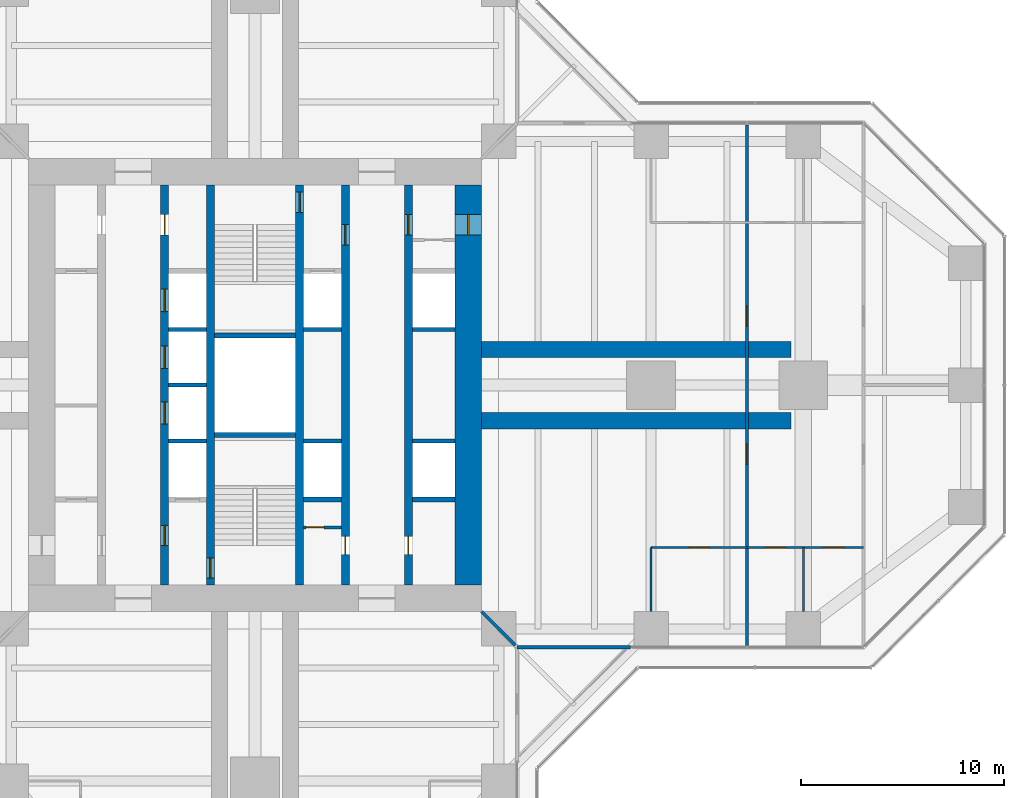
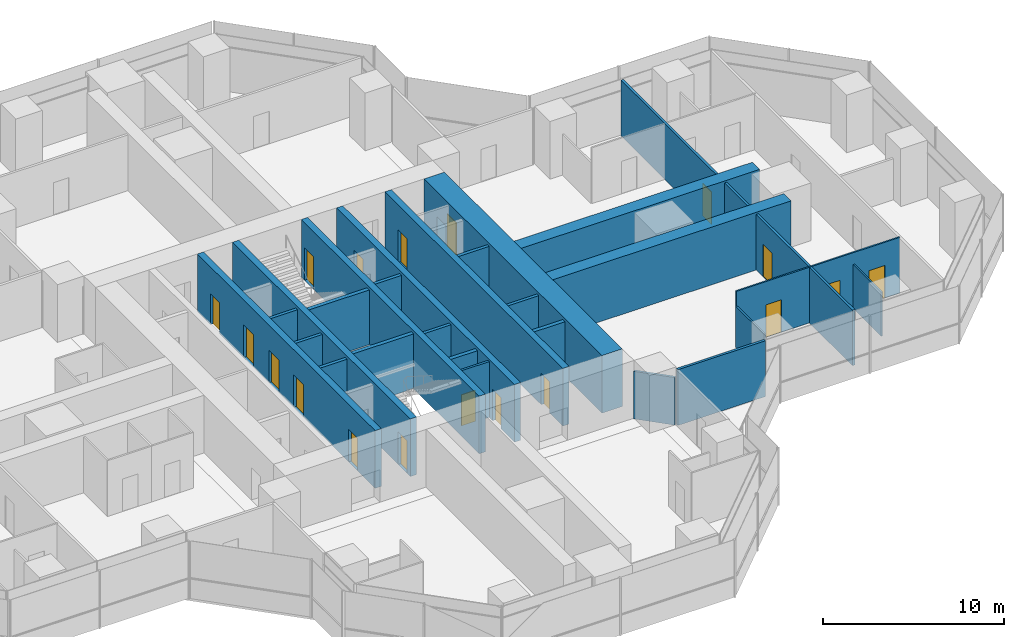
# One storey, part 16 of 20: 27 walls, 18 doors, 18 openings.
"""IFC4 building model written with IfcOpenShell, lengths in metres."""

from ifc_helpers import new_model, si_unit, direction, frame, frame_2d, origin, place, context, subcontext, project, spatial, rectangle, extrude, material, layer, layer_set, type_object, element, fill, save


model = new_model("IFC4")

# Units and contexts
model_context = context("Model", 3, precision=1e-05, world=origin(), true_north=direction((0.0, 1.0)))
body_context = subcontext(model_context, "Body", "Model", "MODEL_VIEW")
ifc_project = project(units=[si_unit("LENGTHUNIT", "METRE"), si_unit("AREAUNIT", "SQUARE_METRE"), si_unit("VOLUMEUNIT", "CUBIC_METRE"), si_unit("PLANEANGLEUNIT", "RADIAN"), si_unit("MASSUNIT", "GRAM", prefix="KILO")], contexts=[model_context])

# Site, building, storey
site_placement = place(None, origin())
site = spatial("IfcSite", under=ifc_project, at=site_placement, CompositionType="ELEMENT")
building_placement = place(site_placement, origin())
building = spatial("IfcBuilding", under=site, at=building_placement, Name="Mizan Broadcast Tower", CompositionType="ELEMENT")
storey_placement = place(building_placement, frame((0.0, 0.0, 139.800048828125)))
storey = spatial("IfcBuildingStorey", under=building, at=storey_placement, Name="L31", CompositionType="ELEMENT", Elevation=139.800048828125)

# Wall, openings, doors
ifc_material_1 = material(Name="Concrete C70/85", Category="concrete")
ifc_layer_1 = layer(ifc_material_1, 0.39990234375)
ifc_layer_set_1 = layer_set([ifc_layer_1], Name="Concrete C70/85")
wall_type_1 = type_object("IfcWallType", Name="CORE INTERNAL WALL 400", PredefinedType="SHEAR", material=ifc_layer_set_1)
wall_1_placement = place(storey_placement, frame((7.550048828125, 9.85009765625, 0.0), z_axis=(0.0, 0.0, 1.0), x_axis=(0.0, -1.0, 0.0)))
wall_1 = element("IfcWall", 1, at=wall_1_placement, inside=storey, type_object=wall_type_1, Name="Core wall CORE/XW1E", PredefinedType="SHEAR", context=body_context, shape_type="SweptSolid", body=[
    extrude(rectangle(XDim=19.7001953125, YDim=0.39990234375, at=frame_2d((9.85009765625, 0.0))), origin(), (0.0, 0.0, 1.0), 3.89990234375),
])
opening_1_placement = place(wall_1_placement, frame((1.449951171875, 0.0, 0.0)))
opening_1 = element("IfcOpeningElement", 2, at=opening_1_placement, cuts=wall_1, Name="Opening D10F", PredefinedType="OPENING", context=body_context, shape_type="SweptSolid", body=[
    extrude(rectangle(XDim=1.0, YDim=2.199951171875, at=frame_2d((0.5, 1.10009765625))), frame((0.0, 0.2099609375, 0.0), z_axis=(0.0, -1.0, 0.0), x_axis=(1.0, 0.0, 0.0)), (0.0, 0.0, 1.0), 0.419921875),
])
opening_2_placement = place(wall_1_placement, frame((17.300048828125, 0.0, 0.0)))
opening_2 = element("IfcOpeningElement", 3, at=opening_2_placement, cuts=wall_1, Name="Opening D09", PredefinedType="OPENING", context=body_context, shape_type="SweptSolid", body=[
    extrude(rectangle(XDim=0.89990234375, YDim=2.10009765625, at=frame_2d((0.449951171875, 1.050048828125))), frame((0.0, 0.2099609375, 0.0), z_axis=(0.0, -1.0, 0.0), x_axis=(1.0, 0.0, 0.0)), (0.0, 0.0, 1.0), 0.419921875),
])
ifc_material_2 = material(Name="Steel door leaf in steel frame", Category="steel")
door_type_1 = type_object("IfcDoorType", Name="FIRE DOOR 1000 FD90", OperationType="SINGLE_SWING_LEFT", PredefinedType="DOOR", material=ifc_material_2)
door_1_placement = place(opening_1_placement, origin())
door_1 = element("IfcDoor", 4, at=door_1_placement, inside=storey, type_object=door_type_1, Name="East core passage door", OperationType="SINGLE_SWING_LEFT", OverallHeight=2.199951171875, OverallWidth=1.0, PredefinedType="DOOR", context=body_context, shape_type="SweptSolid", body=[
    extrude(rectangle(XDim=1.0, YDim=2.199951171875, at=frame_2d((0.5, 1.10009765625))), frame((0.0, 0.02490234375, 0.0), z_axis=(0.0, -1.0, 0.0), x_axis=(1.0, 0.0, 0.0)), (0.0, 0.0, 1.0), 0.050048828125),
])
fill(opening_1, door_1)
ifc_material_3 = material(Name="Timber door leaf in aluminium frame", Category="wood")
door_type_2 = type_object("IfcDoorType", Name="TOILET DOOR 900", OperationType="SINGLE_SWING_LEFT", PredefinedType="DOOR", material=ifc_material_3)
door_2_placement = place(opening_2_placement, origin())
door_2 = element("IfcDoor", 5, at=door_2_placement, inside=storey, type_object=door_type_2, Name="Female WC door", OperationType="SINGLE_SWING_RIGHT", OverallHeight=2.10009765625, OverallWidth=0.89990234375, PredefinedType="DOOR", context=body_context, shape_type="SweptSolid", body=[
    extrude(rectangle(XDim=0.89990234375, YDim=2.10009765625, at=frame_2d((0.449951171875, 1.050048828125))), frame((0.0, 0.02490234375, 0.0), z_axis=(0.0, -1.0, 0.0), x_axis=(1.0, 0.0, 0.0)), (0.0, 0.0, 1.0), 0.050048828125),
])
fill(opening_2, door_2)

wall_2_placement = place(storey_placement, frame((-4.449951171875, -9.85009765625, 0.0), z_axis=(0.0, 0.0, 1.0), x_axis=(0.0, 1.0, 0.0)))
wall_2 = element("IfcWall", 6, at=wall_2_placement, inside=storey, type_object=wall_type_1, Name="Core wall CORE/XWH", PredefinedType="SHEAR", context=body_context, shape_type="SweptSolid", body=[
    extrude(rectangle(XDim=19.7001953125, YDim=0.39990234375, at=frame_2d((9.85009765625, 0.0))), origin(), (0.0, 0.0, 1.0), 3.89990234375),
])
opening_3_placement = place(wall_2_placement, frame((1.949951171875, 0.0, 0.0)))
opening_3 = element("IfcOpeningElement", 7, at=opening_3_placement, cuts=wall_2, Name="Opening D10F", PredefinedType="OPENING", context=body_context, shape_type="SweptSolid", body=[
    extrude(rectangle(XDim=1.0, YDim=2.199951171875, at=frame_2d((0.5, 1.10009765625))), frame((0.0, 0.2099609375, 0.0), z_axis=(0.0, -1.0, 0.0), x_axis=(1.0, 0.0, 0.0)), (0.0, 0.0, 1.0), 0.419921875),
])
opening_4_placement = place(wall_2_placement, frame((17.25, 0.0, 0.0)))
opening_4 = element("IfcOpeningElement", 8, at=opening_4_placement, cuts=wall_2, Name="Opening D10A", PredefinedType="OPENING", context=body_context, shape_type="SweptSolid", body=[
    extrude(rectangle(XDim=1.0, YDim=2.10009765625, at=frame_2d((0.5, 1.050048828125))), frame((0.0, 0.2099609375, 0.0), z_axis=(0.0, -1.0, 0.0), x_axis=(1.0, 0.0, 0.0)), (0.0, 0.0, 1.0), 0.419921875),
])
opening_5_placement = place(wall_2_placement, frame((7.925048828125, 0.0, 0.0)))
opening_5 = element("IfcOpeningElement", 9, at=opening_5_placement, cuts=wall_2, Name="Opening LD", PredefinedType="OPENING", context=body_context, shape_type="SweptSolid", body=[
    extrude(rectangle(XDim=1.10009765625, YDim=2.199951171875, at=frame_2d((0.550048828125, 1.10009765625))), frame((0.0, 0.2099609375, 0.0), z_axis=(0.0, -1.0, 0.0), x_axis=(1.0, 0.0, 0.0)), (0.0, 0.0, 1.0), 0.419921875),
])
opening_6_placement = place(wall_2_placement, frame((10.675048828125, 0.0, 0.0)))
opening_6 = element("IfcOpeningElement", 10, at=opening_6_placement, cuts=wall_2, Name="Opening LD", PredefinedType="OPENING", context=body_context, shape_type="SweptSolid", body=[
    extrude(rectangle(XDim=1.10009765625, YDim=2.199951171875, at=frame_2d((0.550048828125, 1.10009765625))), frame((0.0, 0.2099609375, 0.0), z_axis=(0.0, -1.0, 0.0), x_axis=(1.0, 0.0, 0.0)), (0.0, 0.0, 1.0), 0.419921875),
])
opening_7_placement = place(wall_2_placement, frame((13.47509765625, 0.0, 0.0)))
opening_7 = element("IfcOpeningElement", 11, at=opening_7_placement, cuts=wall_2, Name="Opening LD", PredefinedType="OPENING", context=body_context, shape_type="SweptSolid", body=[
    extrude(rectangle(XDim=1.10009765625, YDim=2.199951171875, at=frame_2d((0.550048828125, 1.10009765625))), frame((0.0, 0.2099609375, 0.0), z_axis=(0.0, -1.0, 0.0), x_axis=(1.0, 0.0, 0.0)), (0.0, 0.0, 1.0), 0.419921875),
])
ifc_material_4 = material(Name="Timber door leaf in aluminium frame", Category="wood")
door_type_3 = type_object("IfcDoorType", Name="ACCESSIBLE WC DOOR 1000", OperationType="SLIDING_TO_LEFT", PredefinedType="DOOR", material=ifc_material_4)
door_3_placement = place(opening_4_placement, origin())
door_3 = element("IfcDoor", 12, at=door_3_placement, inside=storey, type_object=door_type_3, Name="Accessible WC door", OperationType="SLIDING_TO_LEFT", OverallHeight=2.10009765625, OverallWidth=1.0, PredefinedType="DOOR", context=body_context, shape_type="SweptSolid", body=[
    extrude(rectangle(XDim=1.0, YDim=2.10009765625, at=frame_2d((0.5, 1.050048828125))), frame((0.0, 0.02490234375, 0.0), z_axis=(0.0, -1.0, 0.0), x_axis=(1.0, 0.0, 0.0)), (0.0, 0.0, 1.0), 0.050048828125),
])
fill(opening_4, door_3)
door_4_placement = place(opening_3_placement, origin())
door_4 = element("IfcDoor", 13, at=door_4_placement, inside=storey, type_object=door_type_1, Name="Firefighting lobby A door", OperationType="SINGLE_SWING_LEFT", OverallHeight=2.199951171875, OverallWidth=1.0, PredefinedType="DOOR", context=body_context, shape_type="SweptSolid", body=[
    extrude(rectangle(XDim=1.0, YDim=2.199951171875, at=frame_2d((0.5, 1.10009765625))), frame((0.0, 0.02490234375, 0.0), z_axis=(0.0, -1.0, 0.0), x_axis=(1.0, 0.0, 0.0)), (0.0, 0.0, 1.0), 0.050048828125),
])
fill(opening_3, door_4)
ifc_material_5 = material(Name="Steel door leaf in steel frame", Category="steel")
door_type_4 = type_object("IfcDoorType", Name="LIFT LANDING DOOR 1100", OperationType="SLIDING_TO_LEFT", PredefinedType="DOOR", material=ifc_material_5)
door_5_placement = place(opening_5_placement, origin())
door_5 = element("IfcDoor", 14, at=door_5_placement, inside=storey, type_object=door_type_4, Name="Landing door LB1", OperationType="SLIDING_TO_LEFT", OverallHeight=2.199951171875, OverallWidth=1.10009765625, PredefinedType="DOOR", context=body_context, shape_type="SweptSolid", body=[
    extrude(rectangle(XDim=1.10009765625, YDim=2.199951171875, at=frame_2d((0.550048828125, 1.10009765625))), frame((0.0, 0.02490234375, 0.0), z_axis=(0.0, -1.0, 0.0), x_axis=(1.0, 0.0, 0.0)), (0.0, 0.0, 1.0), 0.050048828125),
])
fill(opening_5, door_5)
door_6_placement = place(opening_6_placement, origin())
door_6 = element("IfcDoor", 15, at=door_6_placement, inside=storey, type_object=door_type_4, Name="Landing door LB2", OperationType="SLIDING_TO_LEFT", OverallHeight=2.199951171875, OverallWidth=1.10009765625, PredefinedType="DOOR", context=body_context, shape_type="SweptSolid", body=[
    extrude(rectangle(XDim=1.10009765625, YDim=2.199951171875, at=frame_2d((0.550048828125, 1.10009765625))), frame((0.0, 0.02490234375, 0.0), z_axis=(0.0, -1.0, 0.0), x_axis=(1.0, 0.0, 0.0)), (0.0, 0.0, 1.0), 0.050048828125),
])
fill(opening_6, door_6)
door_7_placement = place(opening_7_placement, origin())
door_7 = element("IfcDoor", 16, at=door_7_placement, inside=storey, type_object=door_type_4, Name="Landing door LB3", OperationType="SLIDING_TO_LEFT", OverallHeight=2.199951171875, OverallWidth=1.10009765625, PredefinedType="DOOR", context=body_context, shape_type="SweptSolid", body=[
    extrude(rectangle(XDim=1.10009765625, YDim=2.199951171875, at=frame_2d((0.550048828125, 1.10009765625))), frame((0.0, 0.02490234375, 0.0), z_axis=(0.0, -1.0, 0.0), x_axis=(1.0, 0.0, 0.0)), (0.0, 0.0, 1.0), 0.050048828125),
])
fill(opening_7, door_7)

wall_3_placement = place(storey_placement, frame((4.449951171875, 9.85009765625, 0.0), z_axis=(0.0, 0.0, 1.0), x_axis=(0.0, -1.0, 0.0)))
wall_3 = element("IfcWall", 17, at=wall_3_placement, inside=storey, type_object=wall_type_1, Name="Core wall CORE/XWHE", PredefinedType="SHEAR", context=body_context, shape_type="SweptSolid", body=[
    extrude(rectangle(XDim=19.7001953125, YDim=0.39990234375, at=frame_2d((9.85009765625, 0.0))), origin(), (0.0, 0.0, 1.0), 3.89990234375),
])
opening_8_placement = place(wall_3_placement, frame((1.949951171875, 0.0, 0.0)))
opening_8 = element("IfcOpeningElement", 18, at=opening_8_placement, cuts=wall_3, Name="Opening D10F", PredefinedType="OPENING", context=body_context, shape_type="SweptSolid", body=[
    extrude(rectangle(XDim=1.0, YDim=2.199951171875, at=frame_2d((0.5, 1.10009765625))), frame((0.0, 0.2099609375, 0.0), z_axis=(0.0, -1.0, 0.0), x_axis=(1.0, 0.0, 0.0)), (0.0, 0.0, 1.0), 0.419921875),
])
opening_9_placement = place(wall_3_placement, frame((17.300048828125, 0.0, 0.0)))
opening_9 = element("IfcOpeningElement", 19, at=opening_9_placement, cuts=wall_3, Name="Opening D09", PredefinedType="OPENING", context=body_context, shape_type="SweptSolid", body=[
    extrude(rectangle(XDim=0.89990234375, YDim=2.10009765625, at=frame_2d((0.449951171875, 1.050048828125))), frame((0.0, 0.2099609375, 0.0), z_axis=(0.0, -1.0, 0.0), x_axis=(1.0, 0.0, 0.0)), (0.0, 0.0, 1.0), 0.419921875),
])
door_8_placement = place(opening_8_placement, origin())
door_8 = element("IfcDoor", 20, at=door_8_placement, inside=storey, type_object=door_type_1, Name="Firefighting lobby B door", OperationType="SINGLE_SWING_LEFT", OverallHeight=2.199951171875, OverallWidth=1.0, PredefinedType="DOOR", context=body_context, shape_type="SweptSolid", body=[
    extrude(rectangle(XDim=1.0, YDim=2.199951171875, at=frame_2d((0.5, 1.10009765625))), frame((0.0, 0.02490234375, 0.0), z_axis=(0.0, -1.0, 0.0), x_axis=(1.0, 0.0, 0.0)), (0.0, 0.0, 1.0), 0.050048828125),
])
fill(opening_8, door_8)
door_9_placement = place(opening_9_placement, origin())
door_9 = element("IfcDoor", 21, at=door_9_placement, inside=storey, type_object=door_type_2, Name="Cleaner's store door", OperationType="SINGLE_SWING_RIGHT", OverallHeight=2.10009765625, OverallWidth=0.89990234375, PredefinedType="DOOR", context=body_context, shape_type="SweptSolid", body=[
    extrude(rectangle(XDim=0.89990234375, YDim=2.10009765625, at=frame_2d((0.449951171875, 1.050048828125))), frame((0.0, 0.02490234375, 0.0), z_axis=(0.0, -1.0, 0.0), x_axis=(1.0, 0.0, 0.0)), (0.0, 0.0, 1.0), 0.050048828125),
])
fill(opening_9, door_9)

# Wall, opening, door
wall_4_placement = place(storey_placement, frame((-2.199951171875, -9.85009765625, 0.0), z_axis=(0.0, 0.0, 1.0), x_axis=(0.0, 1.0, 0.0)))
wall_4 = element("IfcWall", 22, at=wall_4_placement, inside=storey, type_object=wall_type_1, Name="Core wall CORE/XW2", PredefinedType="SHEAR", context=body_context, shape_type="SweptSolid", body=[
    extrude(rectangle(XDim=19.7001953125, YDim=0.39990234375, at=frame_2d((9.85009765625, 0.0))), origin(), (0.0, 0.0, 1.0), 3.89990234375),
])
opening_10_placement = place(wall_4_placement, frame((0.35009765625, 0.0, 0.0)))
opening_10 = element("IfcOpeningElement", 23, at=opening_10_placement, cuts=wall_4, Name="Opening D10S", PredefinedType="OPENING", context=body_context, shape_type="SweptSolid", body=[
    extrude(rectangle(XDim=1.0, YDim=2.199951171875, at=frame_2d((0.5, 1.10009765625))), frame((0.0, 0.2099609375, 0.0), z_axis=(0.0, -1.0, 0.0), x_axis=(1.0, 0.0, 0.0)), (0.0, 0.0, 1.0), 0.419921875),
])
ifc_material_6 = material(Name="Steel door leaf in steel frame", Category="steel")
door_type_5 = type_object("IfcDoorType", Name="STAIR DOOR 1000 FD90S", OperationType="SINGLE_SWING_RIGHT", PredefinedType="DOOR", material=ifc_material_6)
door_10_placement = place(opening_10_placement, origin())
door_10 = element("IfcDoor", 24, at=door_10_placement, inside=storey, type_object=door_type_5, Name="Stair A door", OperationType="SINGLE_SWING_RIGHT", OverallHeight=2.199951171875, OverallWidth=1.0, PredefinedType="DOOR", context=body_context, shape_type="SweptSolid", body=[
    extrude(rectangle(XDim=1.0, YDim=2.199951171875, at=frame_2d((0.5, 1.10009765625))), frame((0.0, 0.02490234375, 0.0), z_axis=(0.0, -1.0, 0.0), x_axis=(1.0, 0.0, 0.0)), (0.0, 0.0, 1.0), 0.050048828125),
])
fill(opening_10, door_10)

wall_5_placement = place(storey_placement, frame((2.199951171875, 9.85009765625, 0.0), z_axis=(0.0, 0.0, 1.0), x_axis=(0.0, -1.0, 0.0)))
wall_5 = element("IfcWall", 25, at=wall_5_placement, inside=storey, type_object=wall_type_1, Name="Core wall CORE/XW2E", PredefinedType="SHEAR", context=body_context, shape_type="SweptSolid", body=[
    extrude(rectangle(XDim=19.7001953125, YDim=0.39990234375, at=frame_2d((9.85009765625, 0.0))), origin(), (0.0, 0.0, 1.0), 3.89990234375),
])
opening_11_placement = place(wall_5_placement, frame((0.35009765625, 0.0, 0.0)))
opening_11 = element("IfcOpeningElement", 26, at=opening_11_placement, cuts=wall_5, Name="Opening D10S", PredefinedType="OPENING", context=body_context, shape_type="SweptSolid", body=[
    extrude(rectangle(XDim=1.0, YDim=2.199951171875, at=frame_2d((0.5, 1.10009765625))), frame((0.0, 0.2099609375, 0.0), z_axis=(0.0, -1.0, 0.0), x_axis=(1.0, 0.0, 0.0)), (0.0, 0.0, 1.0), 0.419921875),
])
door_11_placement = place(opening_11_placement, origin())
door_11 = element("IfcDoor", 27, at=door_11_placement, inside=storey, type_object=door_type_5, Name="Stair B door", OperationType="SINGLE_SWING_RIGHT", OverallHeight=2.199951171875, OverallWidth=1.0, PredefinedType="DOOR", context=body_context, shape_type="SweptSolid", body=[
    extrude(rectangle(XDim=1.0, YDim=2.199951171875, at=frame_2d((0.5, 1.10009765625))), frame((0.0, 0.02490234375, 0.0), z_axis=(0.0, -1.0, 0.0), x_axis=(1.0, 0.0, 0.0)), (0.0, 0.0, 1.0), 0.050048828125),
])
fill(opening_11, door_11)

ifc_material_7 = material(Name="Concrete blockwork", Category="masonry")
ifc_layer_2 = layer(ifc_material_7, 0.14990234375)
ifc_layer_set_2 = layer_set([ifc_layer_2], Name="Concrete blockwork")
wall_type_2 = type_object("IfcWallType", Name="CORE PARTITION 150", PredefinedType="SOLIDWALL", material=ifc_layer_set_2)
wall_6_placement = place(storey_placement, frame((2.39990234375, -7.0, 0.0), z_axis=(0.0, 0.0, 1.0), x_axis=(1.0, 0.0, 0.0)))
wall_6 = element("IfcWall", 28, at=wall_6_placement, inside=storey, type_object=wall_type_2, Name="Core partition CORE/XPC", PredefinedType="SOLIDWALL", context=body_context, shape_type="SweptSolid", body=[
    extrude(rectangle(XDim=1.85009765625, YDim=0.14990234375, at=frame_2d((0.925048828125, 0.0))), origin(), (0.0, 0.0, 1.0), 3.77001953125),
])
opening_12_placement = place(wall_6_placement, frame((0.10009765625, 0.0, 0.0)))
opening_12 = element("IfcOpeningElement", 29, at=opening_12_placement, cuts=wall_6, Name="Opening D09F", PredefinedType="OPENING", context=body_context, shape_type="SweptSolid", body=[
    extrude(rectangle(XDim=0.89990234375, YDim=2.10009765625, at=frame_2d((0.449951171875, 1.050048828125))), frame((0.0, 0.0849609375, 0.0), z_axis=(0.0, -1.0, 0.0), x_axis=(1.0, 0.0, 0.0)), (0.0, 0.0, 1.0), 0.169921875),
])
ifc_material_8 = material(Name="Steel door leaf in steel frame", Category="steel")
door_type_6 = type_object("IfcDoorType", Name="CORE ROOM DOOR 900 FD90", OperationType="SINGLE_SWING_LEFT", PredefinedType="DOOR", material=ifc_material_8)
door_12_placement = place(opening_12_placement, origin())
door_12 = element("IfcDoor", 30, at=door_12_placement, inside=storey, type_object=door_type_6, Name="Cleaning materials store door", OperationType="SINGLE_SWING_LEFT", OverallHeight=2.10009765625, OverallWidth=0.89990234375, PredefinedType="DOOR", context=body_context, shape_type="SweptSolid", body=[
    extrude(rectangle(XDim=0.89990234375, YDim=2.10009765625, at=frame_2d((0.449951171875, 1.050048828125))), frame((0.0, 0.02490234375, 0.0), z_axis=(0.0, -1.0, 0.0), x_axis=(1.0, 0.0, 0.0)), (0.0, 0.0, 1.0), 0.050048828125),
])
fill(opening_12, door_12)

ifc_material_9 = material(Name="Concrete C70/85", Category="concrete")
ifc_layer_3 = layer(ifc_material_9, 1.300048828125)
ifc_layer_set_3 = layer_set([ifc_layer_3], Name="Concrete C70/85")
wall_type_3 = type_object("IfcWallType", Name="CORE WALL 1300", PredefinedType="SHEAR", material=ifc_layer_set_3)
wall_7_placement = place(storey_placement, frame((10.5, -9.85009765625, 0.0), z_axis=(0.0, 0.0, 1.0), x_axis=(0.0, 1.0, 0.0)))
wall_7 = element("IfcWall", 31, at=wall_7_placement, inside=storey, type_object=wall_type_3, Name="Core wall E L31", PredefinedType="SHEAR", context=body_context, shape_type="SweptSolid", body=[
    extrude(rectangle(XDim=19.7001953125, YDim=1.300048828125, at=frame_2d((9.85009765625, 0.0))), origin(), (0.0, 0.0, 1.0), 3.89990234375),
])
opening_13_placement = place(wall_7_placement, frame((17.25, 0.0, 0.0)))
opening_13 = element("IfcOpeningElement", 32, at=opening_13_placement, cuts=wall_7, Name="Opening D10F", PredefinedType="OPENING", context=body_context, shape_type="SweptSolid", body=[
    extrude(rectangle(XDim=1.0, YDim=2.199951171875, at=frame_2d((0.5, 1.10009765625))), frame((0.0, 0.659912109375, 0.0), z_axis=(0.0, -1.0, 0.0), x_axis=(1.0, 0.0, 0.0)), (0.0, 0.0, 1.0), 1.320068359375),
])
door_13_placement = place(opening_13_placement, origin())
door_13 = element("IfcDoor", 33, at=door_13_placement, inside=storey, type_object=door_type_1, Name="East core passage arm door", OperationType="SINGLE_SWING_RIGHT", OverallHeight=2.199951171875, OverallWidth=1.0, PredefinedType="DOOR", context=body_context, shape_type="SweptSolid", body=[
    extrude(rectangle(XDim=1.0, YDim=2.199951171875, at=frame_2d((0.5, 1.10009765625))), frame((0.0, 0.02490234375, 0.0), z_axis=(0.0, -1.0, 0.0), x_axis=(1.0, 0.0, 0.0)), (0.0, 0.0, 1.0), 0.050048828125),
])
fill(opening_13, door_13)

# Walls
ifc_material_10 = material(Name="Aluminium framed glazed screen", Category="aluminium")
ifc_layer_4 = layer(ifc_material_10, 0.159912109375)
ifc_layer_set_4 = layer_set([ifc_layer_4], Name="Aluminium framed glazed screen")
wall_type_4 = type_object("IfcWallType", Name="GLAZED SCREEN WALL 160", PredefinedType="SOLIDWALL", material=ifc_layer_set_4)
wall_8_placement = place(storey_placement, frame((12.89990234375, -12.89990234375, 0.0), z_axis=(0.0, 0.0, 1.0), x_axis=(1.0, 0.0, 0.0)))
element("IfcWall", 34, at=wall_8_placement, inside=storey, type_object=wall_type_4, Name="Winter garden screen L31 E", PredefinedType="SOLIDWALL", context=body_context, shape_type="SweptSolid", body=[
    extrude(rectangle(XDim=5.60009765625, YDim=0.159912109375, at=frame_2d((2.800048828125, 0.0))), origin(), (0.0, 0.0, 1.0), 3.77001953125),
])
ifc_material_11 = material(Name="Concrete blockwork", Category="masonry")
ifc_layer_5 = layer(ifc_material_11, 0.199951171875)
ifc_layer_set_5 = layer_set([ifc_layer_5], Name="Concrete blockwork")
wall_type_5 = type_object("IfcWallType", Name="LIFT SHAFT WALL 200", PredefinedType="SOLIDWALL", material=ifc_layer_set_5)
for number, where, z_axis, x_axis, name in (
    (35, (-4.25, -2.75, 0.0), (0.0, 0.0, 1.0), (1.0, 0.0, 0.0), "Lift shaft wall CORE/SW2-1"),
    (36, (2.39990234375, -2.75, 0.0), (0.0, 0.0, 1.0), (1.0, 0.0, 0.0), "Lift shaft wall CORE/SE2-1"),
):
    element("IfcWall", number, at=place(storey_placement, frame(where, z_axis=z_axis, x_axis=x_axis)), inside=storey, type_object=wall_type_5, Name=name, PredefinedType="SOLIDWALL", context=body_context, shape_type="SweptSolid", body=[
        extrude(rectangle(XDim=1.85009765625, YDim=0.199951171875, at=frame_2d((0.925048828125, 0.0))), origin(), (0.0, 0.0, 1.0), 3.699951171875),
    ])
wall_9_placement = place(storey_placement, frame((7.75, -2.75, 0.0), z_axis=(0.0, 0.0, 1.0), x_axis=(1.0, 0.0, 0.0)))
element("IfcWall", 37, at=wall_9_placement, inside=storey, type_object=wall_type_5, Name="Lift shaft wall CORE/SE1-1", PredefinedType="SOLIDWALL", context=body_context, shape_type="SweptSolid", body=[
    extrude(rectangle(XDim=2.10009765625, YDim=0.199951171875, at=frame_2d((1.050048828125, 0.0))), origin(), (0.0, 0.0, 1.0), 3.699951171875),
])
for number, where, z_axis, x_axis, name in (
    (38, (-4.25, 0.0, 0.0), (0.0, 0.0, 1.0), (1.0, 0.0, 0.0), "Lift shaft wall CORE/SW2-2"),
    (39, (-4.25, 2.75, 0.0), (0.0, 0.0, 1.0), (1.0, 0.0, 0.0), "Lift shaft wall CORE/SW2-3"),
    (40, (2.39990234375, 2.75, 0.0), (0.0, 0.0, 1.0), (1.0, 0.0, 0.0), "Lift shaft wall CORE/SE2-3"),
):
    element("IfcWall", number, at=place(storey_placement, frame(where, z_axis=z_axis, x_axis=x_axis)), inside=storey, type_object=wall_type_5, Name=name, PredefinedType="SOLIDWALL", context=body_context, shape_type="SweptSolid", body=[
        extrude(rectangle(XDim=1.85009765625, YDim=0.199951171875, at=frame_2d((0.925048828125, 0.0))), origin(), (0.0, 0.0, 1.0), 3.699951171875),
    ])
wall_10_placement = place(storey_placement, frame((7.75, 2.75, 0.0), z_axis=(0.0, 0.0, 1.0), x_axis=(1.0, 0.0, 0.0)))
element("IfcWall", 41, at=wall_10_placement, inside=storey, type_object=wall_type_5, Name="Lift shaft wall CORE/SE1-3", PredefinedType="SOLIDWALL", context=body_context, shape_type="SweptSolid", body=[
    extrude(rectangle(XDim=2.10009765625, YDim=0.199951171875, at=frame_2d((1.050048828125, 0.0))), origin(), (0.0, 0.0, 1.0), 3.699951171875),
])
ifc_material_12 = material(Name="Concrete blockwork", Category="masonry")
ifc_layer_6 = layer(ifc_material_12, 0.25)
ifc_layer_set_6 = layer_set([ifc_layer_6], Name="Concrete blockwork")
wall_type_6 = type_object("IfcWallType", Name="LOBBY ENCLOSURE WALL 250", PredefinedType="SOLIDWALL", material=ifc_layer_set_6)
wall_11_placement = place(storey_placement, frame((2.39990234375, -5.625, 0.0), z_axis=(0.0, 0.0, 1.0), x_axis=(1.0, 0.0, 0.0)))
element("IfcWall", 42, at=wall_11_placement, inside=storey, type_object=wall_type_6, Name="Lobby enclosure wall CORE/BE2S", PredefinedType="SOLIDWALL", context=body_context, shape_type="SweptSolid", body=[
    extrude(rectangle(XDim=1.85009765625, YDim=0.25, at=frame_2d((0.925048828125, 0.0))), origin(), (0.0, 0.0, 1.0), 3.699951171875),
])
wall_12_placement = place(storey_placement, frame((7.75, -5.625, 0.0), z_axis=(0.0, 0.0, 1.0), x_axis=(1.0, 0.0, 0.0)))
element("IfcWall", 43, at=wall_12_placement, inside=storey, type_object=wall_type_6, Name="Lobby enclosure wall CORE/BE1S", PredefinedType="SOLIDWALL", context=body_context, shape_type="SweptSolid", body=[
    extrude(rectangle(XDim=2.10009765625, YDim=0.25, at=frame_2d((1.050048828125, 0.0))), origin(), (0.0, 0.0, 1.0), 3.699951171875),
])
for number, where, z_axis, x_axis, name in (
    (44, (-2.0, -2.449951171875, 0.0), (0.0, 0.0, 1.0), (1.0, 0.0, 0.0), "Lobby enclosure wall CORE/STA"),
    (45, (-2.0, 2.449951171875, 0.0), (0.0, 0.0, 1.0), (1.0, 0.0, 0.0), "Lobby enclosure wall CORE/STB"),
):
    element("IfcWall", number, at=place(storey_placement, frame(where, z_axis=z_axis, x_axis=x_axis)), inside=storey, type_object=wall_type_6, Name=name, PredefinedType="SOLIDWALL", context=body_context, shape_type="SweptSolid", body=[
        extrude(rectangle(XDim=4.0, YDim=0.25, at=frame_2d((2.0, 0.0))), origin(), (0.0, 0.0, 1.0), 3.699951171875),
    ])

# Wall, openings, doors
ifc_material_13 = material(Name="Gypsum board on steel studs", Category="steel")
ifc_layer_7 = layer(ifc_material_13, 0.14990234375)
ifc_layer_set_7 = layer_set([ifc_layer_7], Name="Gypsum board on steel studs")
wall_type_7 = type_object("IfcWallType", Name="PARTITION 150", PredefinedType="PARTITIONING", material=ifc_layer_set_7)
wall_13_placement = place(storey_placement, frame((24.22900390625, -12.820068359375, 0.0), z_axis=(0.0, 0.0, 1.0), x_axis=(0.0, 1.0, 0.0)))
wall_13 = element("IfcWall", 46, at=wall_13_placement, inside=storey, type_object=wall_type_7, Name="Partition PT/EX1", PredefinedType="PARTITIONING", context=body_context, shape_type="SweptSolid", body=[
    extrude(rectangle(XDim=25.64013671875, YDim=0.14990234375, at=frame_2d((12.820068359375, 0.0))), origin(), (0.0, 0.0, 1.0), 3.77001953125),
])
opening_14_placement = place(wall_13_placement, frame((15.719970703125, 0.0, 0.0)))
opening_14 = element("IfcOpeningElement", 47, at=opening_14_placement, cuts=wall_13, Name="Opening D10", PredefinedType="OPENING", context=body_context, shape_type="SweptSolid", body=[
    extrude(rectangle(XDim=1.0, YDim=2.199951171875, at=frame_2d((0.5, 1.10009765625))), frame((0.0, 0.0849609375, 0.0), z_axis=(0.0, -1.0, 0.0), x_axis=(1.0, 0.0, 0.0)), (0.0, 0.0, 1.0), 0.169921875),
])
opening_15_placement = place(wall_13_placement, frame((8.919921875, 0.0, 0.0)))
opening_15 = element("IfcOpeningElement", 48, at=opening_15_placement, cuts=wall_13, Name="Opening D10", PredefinedType="OPENING", context=body_context, shape_type="SweptSolid", body=[
    extrude(rectangle(XDim=1.0, YDim=2.199951171875, at=frame_2d((0.5, 1.10009765625))), frame((0.0, 0.0849609375, 0.0), z_axis=(0.0, -1.0, 0.0), x_axis=(1.0, 0.0, 0.0)), (0.0, 0.0, 1.0), 0.169921875),
])
ifc_material_14 = material(Name="Timber door leaf in aluminium frame", Category="wood")
door_type_7 = type_object("IfcDoorType", Name="ROOM DOOR 1000", OperationType="SINGLE_SWING_LEFT", PredefinedType="DOOR", material=ifc_material_14)
door_14_placement = place(opening_14_placement, origin())
door_14 = element("IfcDoor", 49, at=door_14_placement, inside=storey, type_object=door_type_7, Name="Open office door", OperationType="SINGLE_SWING_RIGHT", OverallHeight=2.199951171875, OverallWidth=1.0, PredefinedType="DOOR", context=body_context, shape_type="SweptSolid", body=[
    extrude(rectangle(XDim=1.0, YDim=2.199951171875, at=frame_2d((0.5, 1.10009765625))), frame((0.0, 0.02490234375, 0.0), z_axis=(0.0, -1.0, 0.0), x_axis=(1.0, 0.0, 0.0)), (0.0, 0.0, 1.0), 0.050048828125),
])
fill(opening_14, door_14)
door_15_placement = place(opening_15_placement, origin())
door_15 = element("IfcDoor", 50, at=door_15_placement, inside=storey, type_object=door_type_7, Name="Open office door", OperationType="SINGLE_SWING_LEFT", OverallHeight=2.199951171875, OverallWidth=1.0, PredefinedType="DOOR", context=body_context, shape_type="SweptSolid", body=[
    extrude(rectangle(XDim=1.0, YDim=2.199951171875, at=frame_2d((0.5, 1.10009765625))), frame((0.0, 0.02490234375, 0.0), z_axis=(0.0, -1.0, 0.0), x_axis=(1.0, 0.0, 0.0)), (0.0, 0.0, 1.0), 0.050048828125),
])
fill(opening_15, door_15)

# Wall
wall_14_placement = place(storey_placement, frame((11.14990234375, -11.14990234375, 0.0), z_axis=(0.0, 0.0, 1.0), x_axis=(0.707106781187, -0.707106781187, 0.0)))
element("IfcWall", 51, at=wall_14_placement, inside=storey, type_object=wall_type_7, Name="Partition PT/DGES", PredefinedType="PARTITIONING", context=body_context, shape_type="SweptSolid", body=[
    extrude(rectangle(XDim=2.362060546875, YDim=0.14990234375, at=frame_2d((1.18115234375, 0.0))), origin(), (0.0, 0.0, 1.0), 3.219970703125),
])

# Wall, opening, door
ifc_material_15 = material(Name="Glazed aluminium partition on aluminium track", Category="aluminium")
ifc_layer_8 = layer(ifc_material_15, 0.10009765625)
ifc_layer_set_8 = layer_set([ifc_layer_8], Name="Glazed aluminium partition on aluminium track")
wall_type_8 = type_object("IfcWallType", Name="PARTITION GLAZED OFFICE FRONT 100", PredefinedType="PARTITIONING", material=ifc_layer_set_8)
wall_15_placement = place(storey_placement, frame((19.5, -8.0, 0.0), z_axis=(0.0, 0.0, 1.0), x_axis=(1.0, 0.0, 0.0)))
wall_15 = element("IfcWall", 52, at=wall_15_placement, inside=storey, type_object=wall_type_8, Name="Glazed office front PT/ECN0", PredefinedType="PARTITIONING", context=body_context, shape_type="SweptSolid", body=[
    extrude(rectangle(XDim=4.72900390625, YDim=0.10009765625, at=frame_2d((2.364501953125, 0.0))), origin(), (0.0, 0.0, 1.0), 3.77001953125),
])
opening_16_placement = place(wall_15_placement, frame((1.864501953125, 0.0, 0.0)))
opening_16 = element("IfcOpeningElement", 53, at=opening_16_placement, cuts=wall_15, Name="Opening D10O", PredefinedType="OPENING", context=body_context, shape_type="SweptSolid", body=[
    extrude(rectangle(XDim=1.0, YDim=2.199951171875, at=frame_2d((0.5, 1.10009765625))), frame((0.0, 0.06005859375, 0.0), z_axis=(0.0, -1.0, 0.0), x_axis=(1.0, 0.0, 0.0)), (0.0, 0.0, 1.0), 0.1201171875),
])
ifc_material_16 = material(Name="Timber door leaf in aluminium frame", Category="wood")
door_type_8 = type_object("IfcDoorType", Name="OFFICE DOOR 1000 GLAZED", OperationType="SINGLE_SWING_LEFT", PredefinedType="DOOR", material=ifc_material_16)
door_16_placement = place(opening_16_placement, origin())
door_16 = element("IfcDoor", 54, at=door_16_placement, inside=storey, type_object=door_type_8, Name="Lawyer's office door", OperationType="SINGLE_SWING_LEFT", OverallHeight=2.199951171875, OverallWidth=1.0, PredefinedType="DOOR", context=body_context, shape_type="SweptSolid", body=[
    extrude(rectangle(XDim=1.0, YDim=2.199951171875, at=frame_2d((0.5, 1.10009765625))), frame((0.0, 0.02490234375, 0.0), z_axis=(0.0, -1.0, 0.0), x_axis=(1.0, 0.0, 0.0)), (0.0, 0.0, 1.0), 0.050048828125),
])
fill(opening_16, door_16)

# Wall, openings, doors
wall_16_placement = place(storey_placement, frame((24.22900390625, -8.0, 0.0), z_axis=(0.0, 0.0, 1.0), x_axis=(1.0, 0.0, 0.0)))
wall_16 = element("IfcWall", 55, at=wall_16_placement, inside=storey, type_object=wall_type_8, Name="Glazed office front PT/ECN1", PredefinedType="PARTITIONING", context=body_context, shape_type="SweptSolid", body=[
    extrude(rectangle(XDim=5.72998046875, YDim=0.10009765625, at=frame_2d((2.864990234375, 0.0))), origin(), (0.0, 0.0, 1.0), 3.77001953125),
])
opening_17_placement = place(wall_16_placement, frame((0.885498046875, 0.0, 0.0)))
opening_17 = element("IfcOpeningElement", 56, at=opening_17_placement, cuts=wall_16, Name="Opening D10O", PredefinedType="OPENING", context=body_context, shape_type="SweptSolid", body=[
    extrude(rectangle(XDim=1.0, YDim=2.199951171875, at=frame_2d((0.5, 1.10009765625))), frame((0.0, 0.06005859375, 0.0), z_axis=(0.0, -1.0, 0.0), x_axis=(1.0, 0.0, 0.0)), (0.0, 0.0, 1.0), 0.1201171875),
])
opening_18_placement = place(wall_16_placement, frame((3.75048828125, 0.0, 0.0)))
opening_18 = element("IfcOpeningElement", 57, at=opening_18_placement, cuts=wall_16, Name="Opening D10O", PredefinedType="OPENING", context=body_context, shape_type="SweptSolid", body=[
    extrude(rectangle(XDim=1.0, YDim=2.199951171875, at=frame_2d((0.5, 1.10009765625))), frame((0.0, 0.06005859375, 0.0), z_axis=(0.0, -1.0, 0.0), x_axis=(1.0, 0.0, 0.0)), (0.0, 0.0, 1.0), 0.1201171875),
])
door_17_placement = place(opening_17_placement, origin())
door_17 = element("IfcDoor", 58, at=door_17_placement, inside=storey, type_object=door_type_8, Name="Lawyer's office door", OperationType="SINGLE_SWING_LEFT", OverallHeight=2.199951171875, OverallWidth=1.0, PredefinedType="DOOR", context=body_context, shape_type="SweptSolid", body=[
    extrude(rectangle(XDim=1.0, YDim=2.199951171875, at=frame_2d((0.5, 1.10009765625))), frame((0.0, 0.02490234375, 0.0), z_axis=(0.0, -1.0, 0.0), x_axis=(1.0, 0.0, 0.0)), (0.0, 0.0, 1.0), 0.050048828125),
])
fill(opening_17, door_17)
door_18_placement = place(opening_18_placement, origin())
door_18 = element("IfcDoor", 59, at=door_18_placement, inside=storey, type_object=door_type_8, Name="Lawyer's office door", OperationType="SINGLE_SWING_RIGHT", OverallHeight=2.199951171875, OverallWidth=1.0, PredefinedType="DOOR", context=body_context, shape_type="SweptSolid", body=[
    extrude(rectangle(XDim=1.0, YDim=2.199951171875, at=frame_2d((0.5, 1.10009765625))), frame((0.0, 0.02490234375, 0.0), z_axis=(0.0, -1.0, 0.0), x_axis=(1.0, 0.0, 0.0)), (0.0, 0.0, 1.0), 0.050048828125),
])
fill(opening_18, door_18)

# Walls
wall_17_placement = place(storey_placement, frame((19.5, -8.0, 0.0), z_axis=(0.0, 0.0, 1.0), x_axis=(0.0, -1.0, 0.0)))
element("IfcWall", 60, at=wall_17_placement, inside=storey, type_object=wall_type_8, Name="Glazed office front PT/EQN1950", PredefinedType="PARTITIONING", context=body_context, shape_type="SweptSolid", body=[
    extrude(rectangle(XDim=3.14990234375, YDim=0.10009765625, at=frame_2d((1.574951171875, 0.0))), origin(), (0.0, 0.0, 1.0), 2.77001953125),
])
wall_18_placement = place(storey_placement, frame((27.0, -8.0, 0.0), z_axis=(0.0, 0.0, 1.0), x_axis=(0.0, -1.0, 0.0)))
element("IfcWall", 61, at=wall_18_placement, inside=storey, type_object=wall_type_8, Name="Glazed office front PT/EQN2700", PredefinedType="PARTITIONING", context=body_context, shape_type="SweptSolid", body=[
    extrude(rectangle(XDim=3.14990234375, YDim=0.10009765625, at=frame_2d((1.574951171875, 0.0))), origin(), (0.0, 0.0, 1.0), 2.969970703125),
])
ifc_material_17 = material(Name="Concrete C70/85", Category="concrete")
ifc_layer_9 = layer(ifc_material_17, 0.800048828125)
ifc_layer_set_9 = layer_set([ifc_layer_9], Name="Concrete C70/85")
wall_type_9 = type_object("IfcWallType", Name="SPINE WALL 800", PredefinedType="SHEAR", material=ifc_layer_set_9)
for number, where, z_axis, x_axis, name in (
    (62, (11.14990234375, -1.75, 0.0), (0.0, 0.0, 1.0), (1.0, 0.0, 0.0), "Spine wall ER L31"),
    (63, (11.14990234375, 1.75, 0.0), (0.0, 0.0, 1.0), (1.0, 0.0, 0.0), "Spine wall EL L31"),
):
    element("IfcWall", number, at=place(storey_placement, frame(where, z_axis=z_axis, x_axis=x_axis)), inside=storey, type_object=wall_type_9, Name=name, PredefinedType="SHEAR", context=body_context, shape_type="SweptSolid", body=[
        extrude(rectangle(XDim=15.25, YDim=0.800048828125, at=frame_2d((7.625, 0.0))), origin(), (0.0, 0.0, 1.0), 3.89990234375),
    ])

save(model, "model.ifc")
